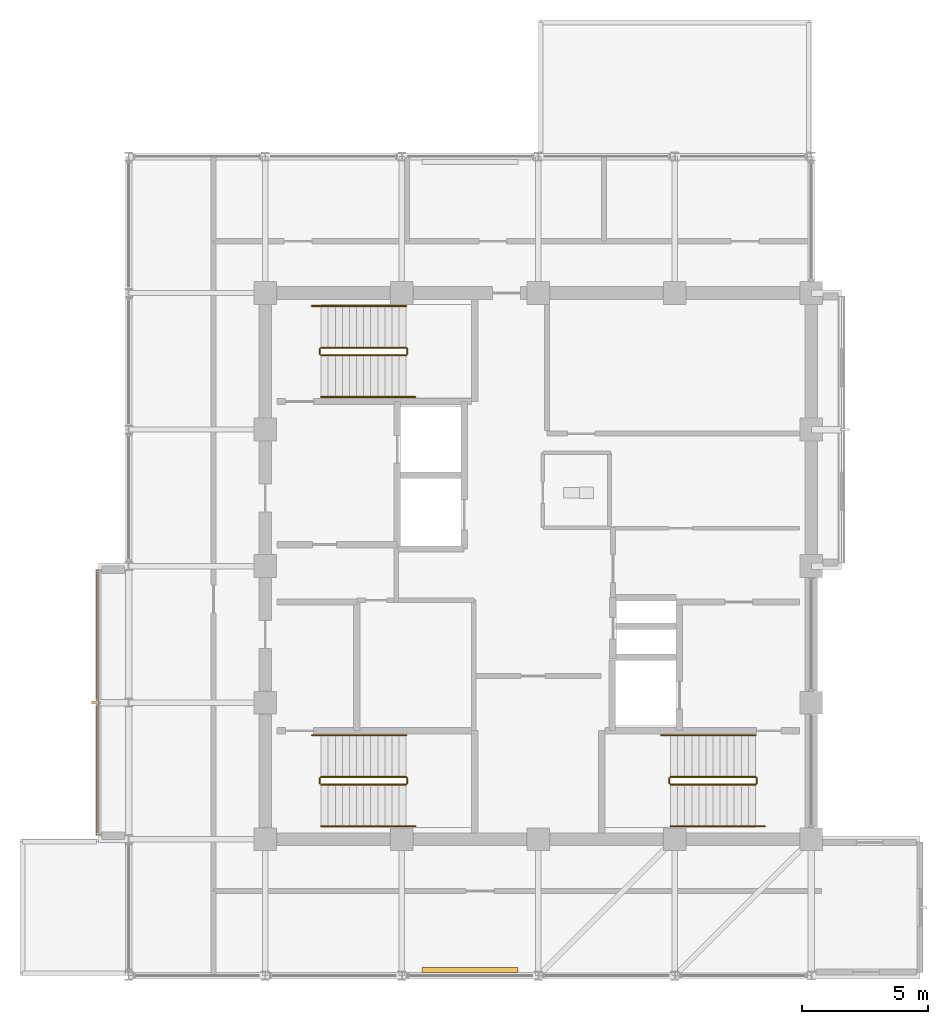
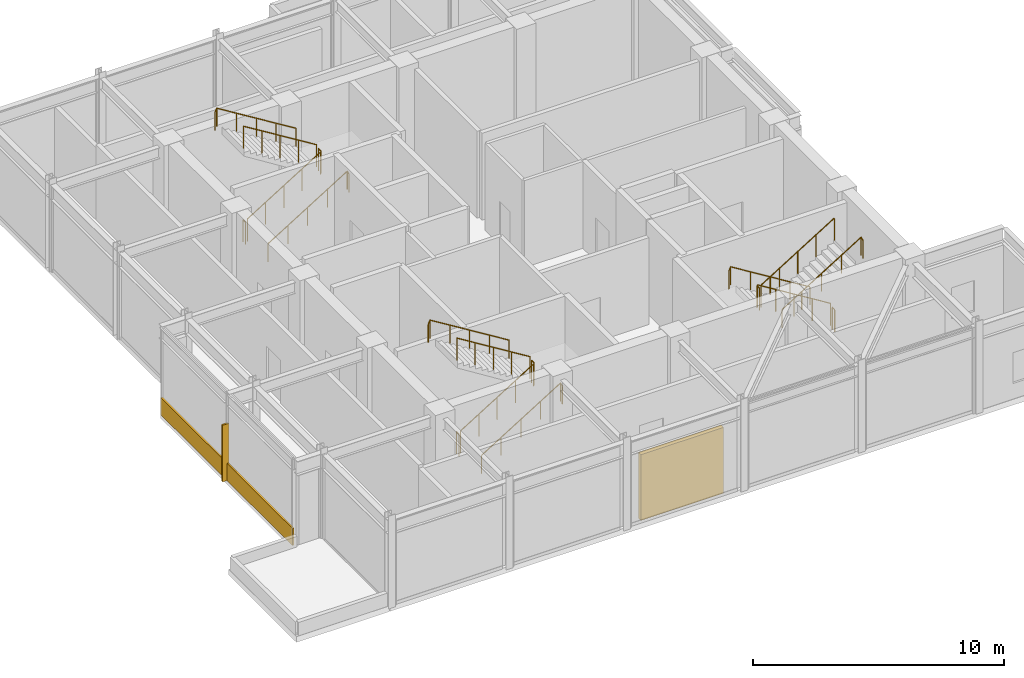
# One storey, part 16 of 18: 18 railings, 2 shading devices, 1 covering.
"""IFC4 building model written with IfcOpenShell, lengths in metres."""

from ifc_helpers import new_model, si_unit, direction, frame, origin, origin_2d, place, context, subcontext, project, spatial, rectangle, circle, extrude, material, layer, layer_set, type_object, element, save


model = new_model("IFC4")

# Units and contexts
model_context = context("Model", 3, precision=1e-05, world=origin(), true_north=direction((0.0, 1.0)))
body_context = subcontext(model_context, "Body", "Model", "MODEL_VIEW")
ifc_project = project(units=[si_unit("LENGTHUNIT", "METRE"), si_unit("AREAUNIT", "SQUARE_METRE"), si_unit("VOLUMEUNIT", "CUBIC_METRE"), si_unit("PLANEANGLEUNIT", "RADIAN"), si_unit("MASSUNIT", "GRAM", prefix="KILO")], contexts=[model_context])

# Site, building, storey
site_placement = place(None, origin())
site = spatial("IfcSite", under=ifc_project, at=site_placement, CompositionType="ELEMENT")
building_placement = place(site_placement, origin())
building = spatial("IfcBuilding", under=site, at=building_placement, Name="Surkhivell Harbour Commons", CompositionType="ELEMENT")
storey_placement = place(building_placement, frame((0.0, 0.0, 355.5)))
storey = spatial("IfcBuildingStorey", under=building, at=storey_placement, Name="L92", CompositionType="ELEMENT", Elevation=355.5)

# Covering
ifc_material_1 = material(Name="Cobalt-azure enamelled aluminium cassette panel", Category="aluminium")
ifc_layer = layer(ifc_material_1, 0.072021484375)
ifc_layer_set = layer_set([ifc_layer], Name="Cobalt-azure enamelled aluminium cassette panel")
covering_type = type_object("IfcCoveringType", Name="COV-CLAD-COB", PredefinedType="CLADDING", material=ifc_layer_set)
covering_placement = place(storey_placement, frame((-17.43994140625, -5.39990234375, 0.0), z_axis=(0.0, 0.0, 1.0), x_axis=(1.0, 0.0, 0.0)))
element("IfcCovering", 1, at=covering_placement, inside=storey, type_object=covering_type, Name="L92 Coloured-Panel Box Spandrel Cassette 03", PredefinedType="CLADDING", context=body_context, shape_type="SweptSolid", body=[
    extrude(rectangle(XDim=0.080078125, YDim=10.5, at=origin_2d()), origin(), (0.0, 0.0, 1.0), 0.840087890625),
])

# Railings
ifc_material_2 = material(Name="Galvanised and painted steel S355 guard rail", Category="steel")
railing_type_1 = type_object("IfcRailingType", Name="RAL-ST-GRD1100", PredefinedType="GUARDRAIL", material=ifc_material_2)
railing_1_placement = place(storey_placement, frame((-8.590087890625, 8.340087890625, 0.173095703125)))
element("IfcRailing", 2, at=railing_1_placement, inside=storey, type_object=railing_type_1, Name="L92 ST1 stair guard 1", PredefinedType="GUARDRAIL", context=body_context, shape_type="SweptSolid", body=[
    extrude(circle(Radius=0.02392578125, at=origin_2d()), frame((0.0, 0.0, 1.076171875), z_axis=(0.850623216509, 0.0, 0.525775754039), x_axis=(0.0, 1.0, 0.0)), (0.0, 0.0, 1.0), 3.9501953125),
    extrude(circle(Radius=0.02099609375, at=origin_2d()), origin(), (0.0, 0.0, 1.0), 1.052001953125),
    extrude(circle(Radius=0.02099609375, at=origin_2d()), frame((0.840087890625, 0.0, 0.519287109375)), (0.0, 0.0, 1.0), 1.052001953125),
    extrude(circle(Radius=0.02099609375, at=origin_2d()), frame((1.68017578125, 0.0, 1.03857421875)), (0.0, 0.0, 1.0), 1.052001953125),
    extrude(circle(Radius=0.02099609375, at=origin_2d()), frame((2.52001953125, 0.0, 1.5576171875)), (0.0, 0.0, 1.0), 1.052001953125),
    extrude(circle(Radius=0.02099609375, at=origin_2d()), frame((3.360107421875, 0.0, 2.076904296875)), (0.0, 0.0, 1.0), 1.052001953125),
])
railing_2_placement = place(storey_placement, frame((-5.179931640625, 8.389892578125, 2.25)))
element("IfcRailing", 3, at=railing_2_placement, inside=storey, type_object=railing_type_1, Name="L92 ST1 stair guard 2", PredefinedType="GUARDRAIL", context=body_context, shape_type="SweptSolid", body=[
    extrude(circle(Radius=0.02392578125, at=origin_2d()), frame((0.0, 0.0, 1.076171875), z_axis=(0.0, 1.0, 0.0), x_axis=(-1.0, 0.0, 0.0)), (0.0, 0.0, 1.0), 0.2001953125),
    extrude(circle(Radius=0.02099609375, at=origin_2d()), origin(), (0.0, 0.0, 1.0), 1.052001953125),
    extrude(circle(Radius=0.02099609375, at=origin_2d()), frame((0.0, 0.2001953125, 0.0)), (0.0, 0.0, 1.0), 1.052001953125),
])
railing_3_placement = place(storey_placement, frame((-5.22998046875, 8.639892578125, 2.423095703125)))
element("IfcRailing", 4, at=railing_3_placement, inside=storey, type_object=railing_type_1, Name="L92 ST1 stair guard 3", PredefinedType="GUARDRAIL", context=body_context, shape_type="SweptSolid", body=[
    extrude(circle(Radius=0.02392578125, at=origin_2d()), frame((0.0, 0.0, 1.076171875), z_axis=(-0.850623216509, 0.0, 0.525775754039), x_axis=(0.0, -1.0, 0.0)), (0.0, 0.0, 1.0), 3.9501953125),
    extrude(circle(Radius=0.02099609375, at=origin_2d()), origin(), (0.0, 0.0, 1.0), 1.052001953125),
    extrude(circle(Radius=0.02099609375, at=origin_2d()), frame((-0.840087890625, 0.0, 0.519287109375)), (0.0, 0.0, 1.0), 1.052001953125),
    extrude(circle(Radius=0.02099609375, at=origin_2d()), frame((-1.68017578125, 0.0, 1.03857421875)), (0.0, 0.0, 1.0), 1.052001953125),
    extrude(circle(Radius=0.02099609375, at=origin_2d()), frame((-2.52001953125, 0.0, 1.5576171875)), (0.0, 0.0, 1.0), 1.052001953125),
    extrude(circle(Radius=0.02099609375, at=origin_2d()), frame((-3.360107421875, 0.0, 2.076904296875)), (0.0, 0.0, 1.0), 1.052001953125),
])
railing_4_placement = place(storey_placement, frame((-8.639892578125, 8.389892578125, 0.0)))
element("IfcRailing", 5, at=railing_4_placement, inside=storey, type_object=railing_type_1, Name="L92 ST1 stair guard 4", PredefinedType="GUARDRAIL", context=body_context, shape_type="SweptSolid", body=[
    extrude(circle(Radius=0.02392578125, at=origin_2d()), frame((0.0, 0.0, 1.076171875), z_axis=(0.0, 1.0, 0.0), x_axis=(-1.0, 0.0, 0.0)), (0.0, 0.0, 1.0), 0.2001953125),
    extrude(circle(Radius=0.02099609375, at=origin_2d()), origin(), (0.0, 0.0, 1.0), 1.052001953125),
    extrude(circle(Radius=0.02099609375, at=origin_2d()), frame((0.0, 0.2001953125, 0.0)), (0.0, 0.0, 1.0), 1.052001953125),
])
railing_5_placement = place(storey_placement, frame((8.590087890625, -8.340087890625, 0.173095703125)))
element("IfcRailing", 6, at=railing_5_placement, inside=storey, type_object=railing_type_1, Name="L92 ST2 stair guard 1", PredefinedType="GUARDRAIL", context=body_context, shape_type="SweptSolid", body=[
    extrude(circle(Radius=0.02392578125, at=origin_2d()), frame((0.0, 0.0, 1.076171875), z_axis=(-0.850623216509, 0.0, 0.525775754039), x_axis=(0.0, -1.0, 0.0)), (0.0, 0.0, 1.0), 3.9501953125),
    extrude(circle(Radius=0.02099609375, at=origin_2d()), origin(), (0.0, 0.0, 1.0), 1.052001953125),
    extrude(circle(Radius=0.02099609375, at=origin_2d()), frame((-0.840087890625, 0.0, 0.519287109375)), (0.0, 0.0, 1.0), 1.052001953125),
    extrude(circle(Radius=0.02099609375, at=origin_2d()), frame((-1.68017578125, 0.0, 1.03857421875)), (0.0, 0.0, 1.0), 1.052001953125),
    extrude(circle(Radius=0.02099609375, at=origin_2d()), frame((-2.52001953125, 0.0, 1.5576171875)), (0.0, 0.0, 1.0), 1.052001953125),
    extrude(circle(Radius=0.02099609375, at=origin_2d()), frame((-3.360107421875, 0.0, 2.076904296875)), (0.0, 0.0, 1.0), 1.052001953125),
])
railing_6_placement = place(storey_placement, frame((5.179931640625, -8.389892578125, 2.25)))
element("IfcRailing", 7, at=railing_6_placement, inside=storey, type_object=railing_type_1, Name="L92 ST2 stair guard 2", PredefinedType="GUARDRAIL", context=body_context, shape_type="SweptSolid", body=[
    extrude(circle(Radius=0.02392578125, at=origin_2d()), frame((0.0, 0.0, 1.076171875), z_axis=(0.0, -1.0, 0.0), x_axis=(1.0, 0.0, 0.0)), (0.0, 0.0, 1.0), 0.2001953125),
    extrude(circle(Radius=0.02099609375, at=origin_2d()), origin(), (0.0, 0.0, 1.0), 1.052001953125),
    extrude(circle(Radius=0.02099609375, at=origin_2d()), frame((0.0, -0.2001953125, 0.0)), (0.0, 0.0, 1.0), 1.052001953125),
])
railing_7_placement = place(storey_placement, frame((5.22998046875, -8.639892578125, 2.423095703125)))
element("IfcRailing", 8, at=railing_7_placement, inside=storey, type_object=railing_type_1, Name="L92 ST2 stair guard 3", PredefinedType="GUARDRAIL", context=body_context, shape_type="SweptSolid", body=[
    extrude(circle(Radius=0.02392578125, at=origin_2d()), frame((0.0, 0.0, 1.076171875), z_axis=(0.850623216509, 0.0, 0.525775754039), x_axis=(0.0, 1.0, 0.0)), (0.0, 0.0, 1.0), 3.9501953125),
    extrude(circle(Radius=0.02099609375, at=origin_2d()), origin(), (0.0, 0.0, 1.0), 1.052001953125),
    extrude(circle(Radius=0.02099609375, at=origin_2d()), frame((0.840087890625, 0.0, 0.519287109375)), (0.0, 0.0, 1.0), 1.052001953125),
    extrude(circle(Radius=0.02099609375, at=origin_2d()), frame((1.68017578125, 0.0, 1.03857421875)), (0.0, 0.0, 1.0), 1.052001953125),
    extrude(circle(Radius=0.02099609375, at=origin_2d()), frame((2.52001953125, 0.0, 1.5576171875)), (0.0, 0.0, 1.0), 1.052001953125),
    extrude(circle(Radius=0.02099609375, at=origin_2d()), frame((3.360107421875, 0.0, 2.076904296875)), (0.0, 0.0, 1.0), 1.052001953125),
])
railing_8_placement = place(storey_placement, frame((8.639892578125, -8.389892578125, 0.0)))
element("IfcRailing", 9, at=railing_8_placement, inside=storey, type_object=railing_type_1, Name="L92 ST2 stair guard 4", PredefinedType="GUARDRAIL", context=body_context, shape_type="SweptSolid", body=[
    extrude(circle(Radius=0.02392578125, at=origin_2d()), frame((0.0, 0.0, 1.076171875), z_axis=(0.0, -1.0, 0.0), x_axis=(1.0, 0.0, 0.0)), (0.0, 0.0, 1.0), 0.2001953125),
    extrude(circle(Radius=0.02099609375, at=origin_2d()), origin(), (0.0, 0.0, 1.0), 1.052001953125),
    extrude(circle(Radius=0.02099609375, at=origin_2d()), frame((0.0, -0.2001953125, 0.0)), (0.0, 0.0, 1.0), 1.052001953125),
])
railing_9_placement = place(storey_placement, frame((-8.590087890625, -8.639892578125, 0.173095703125)))
element("IfcRailing", 10, at=railing_9_placement, inside=storey, type_object=railing_type_1, Name="L92 ST3 stair guard 1", PredefinedType="GUARDRAIL", context=body_context, shape_type="SweptSolid", body=[
    extrude(circle(Radius=0.02392578125, at=origin_2d()), frame((0.0, 0.0, 1.076171875), z_axis=(0.850623216509, 0.0, 0.525775754039), x_axis=(0.0, 1.0, 0.0)), (0.0, 0.0, 1.0), 3.9501953125),
    extrude(circle(Radius=0.02099609375, at=origin_2d()), origin(), (0.0, 0.0, 1.0), 1.052001953125),
    extrude(circle(Radius=0.02099609375, at=origin_2d()), frame((0.840087890625, 0.0, 0.519287109375)), (0.0, 0.0, 1.0), 1.052001953125),
    extrude(circle(Radius=0.02099609375, at=origin_2d()), frame((1.68017578125, 0.0, 1.03857421875)), (0.0, 0.0, 1.0), 1.052001953125),
    extrude(circle(Radius=0.02099609375, at=origin_2d()), frame((2.52001953125, 0.0, 1.5576171875)), (0.0, 0.0, 1.0), 1.052001953125),
    extrude(circle(Radius=0.02099609375, at=origin_2d()), frame((3.360107421875, 0.0, 2.076904296875)), (0.0, 0.0, 1.0), 1.052001953125),
])
railing_10_placement = place(storey_placement, frame((-5.179931640625, -8.590087890625, 2.25)))
element("IfcRailing", 11, at=railing_10_placement, inside=storey, type_object=railing_type_1, Name="L92 ST3 stair guard 2", PredefinedType="GUARDRAIL", context=body_context, shape_type="SweptSolid", body=[
    extrude(circle(Radius=0.02392578125, at=origin_2d()), frame((0.0, 0.0, 1.076171875), z_axis=(0.0, 1.0, 0.0), x_axis=(-1.0, 0.0, 0.0)), (0.0, 0.0, 1.0), 0.2001953125),
    extrude(circle(Radius=0.02099609375, at=origin_2d()), origin(), (0.0, 0.0, 1.0), 1.052001953125),
    extrude(circle(Radius=0.02099609375, at=origin_2d()), frame((0.0, 0.2001953125, 0.0)), (0.0, 0.0, 1.0), 1.052001953125),
])
railing_11_placement = place(storey_placement, frame((-5.22998046875, -8.340087890625, 2.423095703125)))
element("IfcRailing", 12, at=railing_11_placement, inside=storey, type_object=railing_type_1, Name="L92 ST3 stair guard 3", PredefinedType="GUARDRAIL", context=body_context, shape_type="SweptSolid", body=[
    extrude(circle(Radius=0.02392578125, at=origin_2d()), frame((0.0, 0.0, 1.076171875), z_axis=(-0.850623216509, 0.0, 0.525775754039), x_axis=(0.0, -1.0, 0.0)), (0.0, 0.0, 1.0), 3.9501953125),
    extrude(circle(Radius=0.02099609375, at=origin_2d()), origin(), (0.0, 0.0, 1.0), 1.052001953125),
    extrude(circle(Radius=0.02099609375, at=origin_2d()), frame((-0.840087890625, 0.0, 0.519287109375)), (0.0, 0.0, 1.0), 1.052001953125),
    extrude(circle(Radius=0.02099609375, at=origin_2d()), frame((-1.68017578125, 0.0, 1.03857421875)), (0.0, 0.0, 1.0), 1.052001953125),
    extrude(circle(Radius=0.02099609375, at=origin_2d()), frame((-2.52001953125, 0.0, 1.5576171875)), (0.0, 0.0, 1.0), 1.052001953125),
    extrude(circle(Radius=0.02099609375, at=origin_2d()), frame((-3.360107421875, 0.0, 2.076904296875)), (0.0, 0.0, 1.0), 1.052001953125),
])
railing_12_placement = place(storey_placement, frame((-8.639892578125, -8.590087890625, 0.0)))
element("IfcRailing", 13, at=railing_12_placement, inside=storey, type_object=railing_type_1, Name="L92 ST3 stair guard 4", PredefinedType="GUARDRAIL", context=body_context, shape_type="SweptSolid", body=[
    extrude(circle(Radius=0.02392578125, at=origin_2d()), frame((0.0, 0.0, 1.076171875), z_axis=(0.0, 1.0, 0.0), x_axis=(-1.0, 0.0, 0.0)), (0.0, 0.0, 1.0), 0.2001953125),
    extrude(circle(Radius=0.02099609375, at=origin_2d()), origin(), (0.0, 0.0, 1.0), 1.052001953125),
    extrude(circle(Radius=0.02099609375, at=origin_2d()), frame((0.0, 0.2001953125, 0.0)), (0.0, 0.0, 1.0), 1.052001953125),
])
ifc_material_3 = material(Name="Brushed stainless steel S355 handrail", Category="steel")
railing_type_2 = type_object("IfcRailingType", Name="RAL-ST-HND900", PredefinedType="HANDRAIL", material=ifc_material_3)
railing_13_placement = place(storey_placement, frame((-8.590087890625, 6.68994140625, 0.173095703125)))
element("IfcRailing", 14, at=railing_13_placement, inside=storey, type_object=railing_type_2, Name="L92 ST1 stair handrail 1", PredefinedType="HANDRAIL", context=body_context, shape_type="SweptSolid", body=[
    extrude(circle(Radius=0.02392578125, at=origin_2d()), frame((0.0, 0.0, 0.8759765625), z_axis=(0.850622404505, 0.0, 0.525777067734), x_axis=(0.0, 1.0, 0.0)), (0.0, 0.0, 1.0), 4.279296875),
    extrude(circle(Radius=0.02392578125, at=origin_2d()), frame((3.64013671875, 0.0, 3.1259765625), z_axis=(0.418814502111, 0.0, -0.908071810388), x_axis=(0.0, 1.0, 0.0)), (0.0, 0.0, 1.0), 0.190673828125),
    extrude(circle(Radius=0.02099609375, at=origin_2d()), origin(), (0.0, 0.0, 1.0), 0.851806640625),
    extrude(circle(Radius=0.02099609375, at=origin_2d()), frame((0.91015625, 0.0, 0.5625)), (0.0, 0.0, 1.0), 0.851806640625),
    extrude(circle(Radius=0.02099609375, at=origin_2d()), frame((1.820068359375, 0.0, 1.125)), (0.0, 0.0, 1.0), 0.851806640625),
    extrude(circle(Radius=0.02099609375, at=origin_2d()), frame((2.72998046875, 0.0, 1.6875)), (0.0, 0.0, 1.0), 0.851806640625),
    extrude(circle(Radius=0.02099609375, at=origin_2d()), frame((3.64013671875, 0.0, 2.25)), (0.0, 0.0, 1.0), 0.851806640625),
    extrude(circle(Radius=0.02099609375, at=origin_2d()), frame((3.719970703125, 0.0, 2.076904296875)), (0.0, 0.0, 1.0), 0.851806640625),
])
for number, where, name in (
    (15, (-5.22998046875, 10.2900390625, 2.423095703125), "L92 ST1 stair handrail 2"),
    (16, (8.590087890625, -6.68994140625, 0.173095703125), "L92 ST2 stair handrail 1"),
):
    element("IfcRailing", number, at=place(storey_placement, frame(where)), inside=storey, type_object=railing_type_2, Name=name, PredefinedType="HANDRAIL", context=body_context, shape_type="SweptSolid", body=[
        extrude(circle(Radius=0.02392578125, at=origin_2d()), frame((0.0, 0.0, 0.8759765625), z_axis=(-0.850622404505, 0.0, 0.525777067734), x_axis=(0.0, -1.0, 0.0)), (0.0, 0.0, 1.0), 4.279296875),
        extrude(circle(Radius=0.02392578125, at=origin_2d()), frame((-3.64013671875, 0.0, 3.1259765625), z_axis=(-0.418814502111, 0.0, -0.908071810388), x_axis=(0.0, -1.0, 0.0)), (0.0, 0.0, 1.0), 0.190673828125),
        extrude(circle(Radius=0.02099609375, at=origin_2d()), origin(), (0.0, 0.0, 1.0), 0.851806640625),
        extrude(circle(Radius=0.02099609375, at=origin_2d()), frame((-0.91015625, 0.0, 0.5625)), (0.0, 0.0, 1.0), 0.851806640625),
        extrude(circle(Radius=0.02099609375, at=origin_2d()), frame((-1.820068359375, 0.0, 1.125)), (0.0, 0.0, 1.0), 0.851806640625),
        extrude(circle(Radius=0.02099609375, at=origin_2d()), frame((-2.72998046875, 0.0, 1.6875)), (0.0, 0.0, 1.0), 0.851806640625),
        extrude(circle(Radius=0.02099609375, at=origin_2d()), frame((-3.64013671875, 0.0, 2.25)), (0.0, 0.0, 1.0), 0.851806640625),
        extrude(circle(Radius=0.02099609375, at=origin_2d()), frame((-3.719970703125, 0.0, 2.076904296875)), (0.0, 0.0, 1.0), 0.851806640625),
    ])
for number, where, name in (
    (17, (5.22998046875, -10.2900390625, 2.423095703125), "L92 ST2 stair handrail 2"),
    (18, (-8.590087890625, -10.2900390625, 0.173095703125), "L92 ST3 stair handrail 1"),
):
    element("IfcRailing", number, at=place(storey_placement, frame(where)), inside=storey, type_object=railing_type_2, Name=name, PredefinedType="HANDRAIL", context=body_context, shape_type="SweptSolid", body=[
        extrude(circle(Radius=0.02392578125, at=origin_2d()), frame((0.0, 0.0, 0.8759765625), z_axis=(0.850622404505, 0.0, 0.525777067734), x_axis=(0.0, 1.0, 0.0)), (0.0, 0.0, 1.0), 4.279296875),
        extrude(circle(Radius=0.02392578125, at=origin_2d()), frame((3.64013671875, 0.0, 3.1259765625), z_axis=(0.418814502111, 0.0, -0.908071810388), x_axis=(0.0, 1.0, 0.0)), (0.0, 0.0, 1.0), 0.190673828125),
        extrude(circle(Radius=0.02099609375, at=origin_2d()), origin(), (0.0, 0.0, 1.0), 0.851806640625),
        extrude(circle(Radius=0.02099609375, at=origin_2d()), frame((0.91015625, 0.0, 0.5625)), (0.0, 0.0, 1.0), 0.851806640625),
        extrude(circle(Radius=0.02099609375, at=origin_2d()), frame((1.820068359375, 0.0, 1.125)), (0.0, 0.0, 1.0), 0.851806640625),
        extrude(circle(Radius=0.02099609375, at=origin_2d()), frame((2.72998046875, 0.0, 1.6875)), (0.0, 0.0, 1.0), 0.851806640625),
        extrude(circle(Radius=0.02099609375, at=origin_2d()), frame((3.64013671875, 0.0, 2.25)), (0.0, 0.0, 1.0), 0.851806640625),
        extrude(circle(Radius=0.02099609375, at=origin_2d()), frame((3.719970703125, 0.0, 2.076904296875)), (0.0, 0.0, 1.0), 0.851806640625),
    ])
railing_14_placement = place(storey_placement, frame((-5.22998046875, -6.68994140625, 2.423095703125)))
element("IfcRailing", 19, at=railing_14_placement, inside=storey, type_object=railing_type_2, Name="L92 ST3 stair handrail 2", PredefinedType="HANDRAIL", context=body_context, shape_type="SweptSolid", body=[
    extrude(circle(Radius=0.02392578125, at=origin_2d()), frame((0.0, 0.0, 0.8759765625), z_axis=(-0.850622404505, 0.0, 0.525777067734), x_axis=(0.0, -1.0, 0.0)), (0.0, 0.0, 1.0), 4.279296875),
    extrude(circle(Radius=0.02392578125, at=origin_2d()), frame((-3.64013671875, 0.0, 3.1259765625), z_axis=(-0.418814502111, 0.0, -0.908071810388), x_axis=(0.0, -1.0, 0.0)), (0.0, 0.0, 1.0), 0.190673828125),
    extrude(circle(Radius=0.02099609375, at=origin_2d()), origin(), (0.0, 0.0, 1.0), 0.851806640625),
    extrude(circle(Radius=0.02099609375, at=origin_2d()), frame((-0.91015625, 0.0, 0.5625)), (0.0, 0.0, 1.0), 0.851806640625),
    extrude(circle(Radius=0.02099609375, at=origin_2d()), frame((-1.820068359375, 0.0, 1.125)), (0.0, 0.0, 1.0), 0.851806640625),
    extrude(circle(Radius=0.02099609375, at=origin_2d()), frame((-2.72998046875, 0.0, 1.6875)), (0.0, 0.0, 1.0), 0.851806640625),
    extrude(circle(Radius=0.02099609375, at=origin_2d()), frame((-3.64013671875, 0.0, 2.25)), (0.0, 0.0, 1.0), 0.851806640625),
    extrude(circle(Radius=0.02099609375, at=origin_2d()), frame((-3.719970703125, 0.0, 2.076904296875)), (0.0, 0.0, 1.0), 0.851806640625),
])

# Shading devices
ifc_material_4 = material(Name="Champagne anodised aluminium solar fin", Category="aluminium")
shading_device_type_1 = type_object("IfcShadingDeviceType", Name="SHD-FIN-SLIM", PredefinedType="USERDEFINED", material=ifc_material_4)
shading_device_1_placement = place(storey_placement, frame((-17.5400390625, -5.39990234375, 0.0048828125), z_axis=(0.0, 0.0, 1.0), x_axis=(1.0, 0.0, 0.0)))
element("IfcShadingDevice", 20, at=shading_device_1_placement, inside=storey, type_object=shading_device_type_1, Name="L92 Coloured-Box Solar Fin 03", ObjectType="FIN", PredefinedType="USERDEFINED", context=body_context, shape_type="SweptSolid", body=[
    extrude(rectangle(XDim=0.280029296875, YDim=0.080078125, at=origin_2d()), origin(), (0.0, 0.0, 1.0), 2.75),
])
ifc_material_5 = material(Name="Crown pale-metal storm louvre assembly", Category="aluminium")
shading_device_type_2 = type_object("IfcShadingDeviceType", Name="SHD-LOUV-CRN", PredefinedType="JALOUSIE", material=ifc_material_5)
shading_device_2_placement = place(storey_placement, frame((-2.699951171875, -15.97998046875, 0.0), z_axis=(0.0, 0.0, 1.0), x_axis=(1.0, 0.0, 0.0)))
element("IfcShadingDevice", 21, at=shading_device_2_placement, inside=storey, type_object=shading_device_type_2, Name="L92 Crown Acoustic Louvre Screen 00", PredefinedType="JALOUSIE", context=body_context, shape_type="SweptSolid", body=[
    extrude(rectangle(XDim=3.800048828125, YDim=0.199951171875, at=origin_2d()), origin(), (0.0, 0.0, 1.0), 3.199951171875),
])

save(model, "model.ifc")
